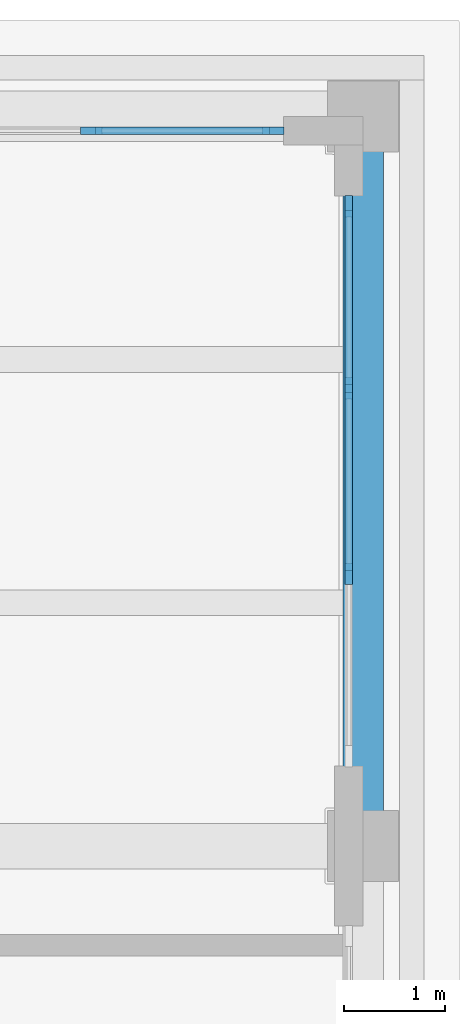
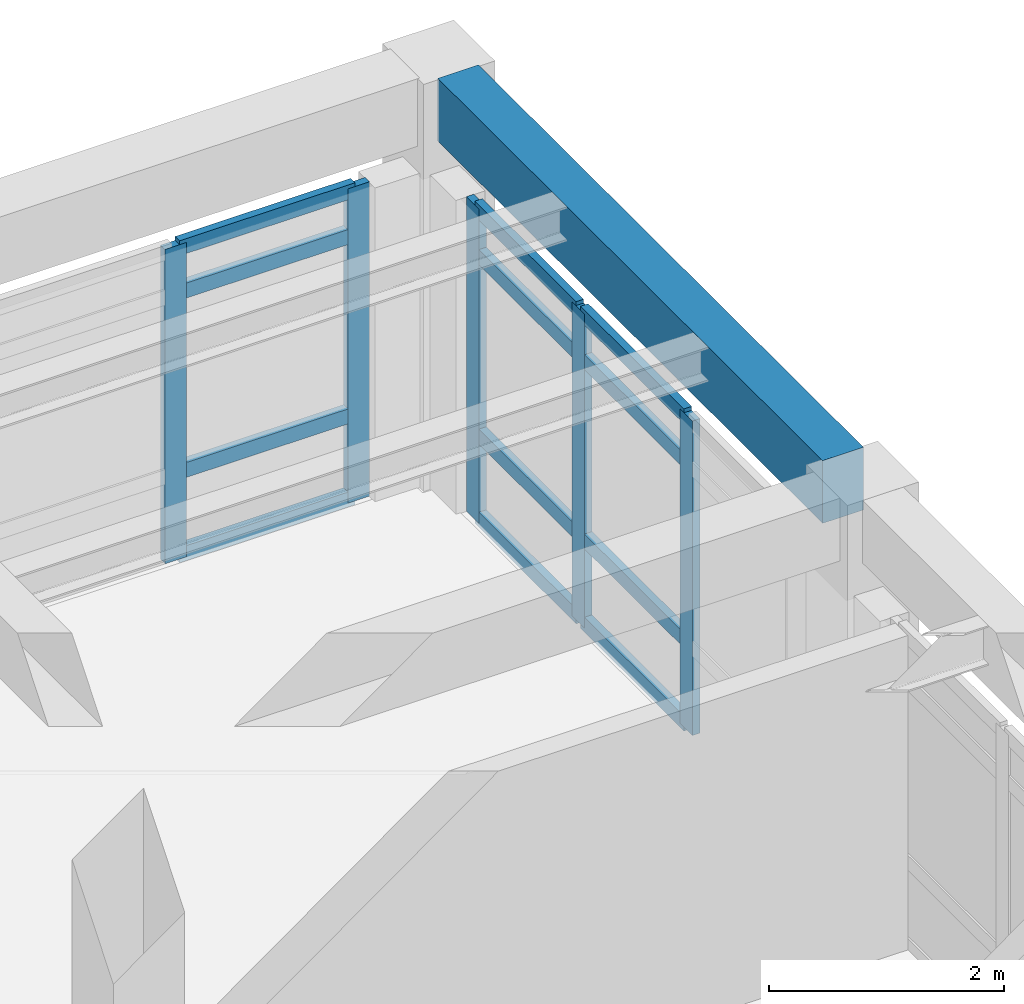
# One storey, part 31 of 64: 17 members, 1 beam, 2 elements without a shape of their own.
"""IFC4 building model written with IfcOpenShell, lengths in metres."""

from ifc_helpers import new_model, si_unit, direction, frame, origin, origin_2d, place, context, subcontext, project, spatial, rectangle, extrude, material, layer, layer_set, material_profile, profile_set, type_object, element, aggregate, save


model = new_model("IFC4")

# Units and contexts
model_context = context("Model", 3, precision=1e-05, world=origin(), true_north=direction((0.0, 1.0)))
body_context = subcontext(model_context, "Body", "Model", "MODEL_VIEW")
ifc_project = project(units=[si_unit("LENGTHUNIT", "METRE"), si_unit("AREAUNIT", "SQUARE_METRE"), si_unit("VOLUMEUNIT", "CUBIC_METRE"), si_unit("PLANEANGLEUNIT", "RADIAN"), si_unit("MASSUNIT", "GRAM", prefix="KILO")], contexts=[model_context])

# Site, building, storey
site_placement = place(None, origin())
site = spatial("IfcSite", under=ifc_project, at=site_placement, CompositionType="ELEMENT")
building_placement = place(site_placement, origin())
building = spatial("IfcBuilding", under=site, at=building_placement, Name="Solenvale Faculty of Natural Sciences", CompositionType="ELEMENT")
storey_placement = place(building_placement, frame((0.0, 0.0, 18.0)))
storey = spatial("IfcBuildingStorey", under=building, at=storey_placement, Name="L04", CompositionType="ELEMENT", Elevation=18.0)

# Beam
ifc_material_1 = material(Name="Concrete 40 MPa", Category="concrete")
ifc_material_profile_1 = material_profile(ifc_material_1, rectangle(XDim=0.39990234375, YDim=0.64990234375, at=origin_2d()), Name="RC-BM-400x650")
ifc_profile_set_1 = profile_set([ifc_material_profile_1], Name="Concrete 40 MPa")
beam_type = type_object("IfcBeamType", Name="BM-RC-400x650", PredefinedType="BEAM", material=ifc_profile_set_1)
beam_placement = place(storey_placement, frame((151.199951171875, 108.330078125, 3.89501953125), z_axis=(0.0, 1.0, 0.0), x_axis=(-1.0, 0.0, 0.0)))
element("IfcBeam", 1, at=beam_placement, inside=storey, type_object=beam_type, Name="L04 Y-Girder X151.2 (108.0..115.2)", PredefinedType="BEAM", context=body_context, shape_type="SweptSolid", body=[
    extrude(rectangle(XDim=0.39990234375, YDim=0.64990234375, at=origin_2d()), origin(), (0.0, 0.0, 1.0), 6.5400390625),
])

# Curtain wall, members
ifc_material_2 = material(Name="Anodised bronze aluminium", Category="aluminium")
ifc_layer = layer(ifc_material_2, 0.179931640625)
ifc_layer_set = layer_set([ifc_layer], Name="Anodised bronze aluminium")
curtain_wall_type = type_object("IfcCurtainWallType", Name="CW-TWR-MOD", PredefinedType="USERDEFINED", material=ifc_layer_set)
curtain_wall_1_placement = place(storey_placement, origin())
curtain_wall_1 = element("IfcCurtainWall", 2, at=curtain_wall_1_placement, inside=storey, type_object=curtain_wall_type, Name="L04 Curtain Wall CW-L04-P3-E3-B3", ObjectType="UNITISED CURTAIN WALL", PredefinedType="USERDEFINED")
ifc_material_profile_2 = material_profile(ifc_material_2, rectangle(XDim=0.074951171875, YDim=0.2099609375, at=origin_2d()), Name="ALU-MUL-75x210")
ifc_profile_set_2 = profile_set([ifc_material_profile_2], Name="Anodised bronze aluminium")
member_type_1 = type_object("IfcMemberType", Name="CWM-ALU-75x210", PredefinedType="MULLION", material=ifc_profile_set_2)
member_1_placement = place(storey_placement, frame((151.0576171875, 110.683349609375, 0.0), z_axis=(0.0, 0.0, 1.0), x_axis=(-1.0, 0.0, 0.0)))
member_1 = element("IfcMember", 3, at=member_1_placement, type_object=member_type_1, Name="CW-04 mullion 2", PredefinedType="MULLION", context=body_context, shape_type="SweptSolid", body=[
    extrude(rectangle(XDim=0.074951171875, YDim=0.2099609375, at=origin_2d()), origin(), (0.0, 0.0, 1.0), 3.260009765625),
])
member_2_placement = place(storey_placement, frame((151.0576171875, 112.5166015625, 0.0), z_axis=(0.0, 0.0, 1.0), x_axis=(-1.0, 0.0, 0.0)))
member_2 = element("IfcMember", 4, at=member_2_placement, type_object=member_type_1, Name="CW-04 mullion 3", PredefinedType="MULLION", context=body_context, shape_type="SweptSolid", body=[
    extrude(rectangle(XDim=0.074951171875, YDim=0.2099609375, at=origin_2d()), origin(), (0.0, 0.0, 1.0), 3.260009765625),
])
member_3_placement = place(storey_placement, frame((151.0576171875, 114.3125, 0.0), z_axis=(0.0, 0.0, 1.0), x_axis=(-1.0, 0.0, 0.0)))
member_3 = element("IfcMember", 5, at=member_3_placement, type_object=member_type_1, Name="CW-04 mullion 4", PredefinedType="MULLION", context=body_context, shape_type="SweptSolid", body=[
    extrude(rectangle(XDim=0.074951171875, YDim=0.2099609375, at=origin_2d()), origin(), (0.0, 0.0, 1.0), 3.260009765625),
])

curtain_wall_2_placement = place(storey_placement, origin())
curtain_wall_2 = element("IfcCurtainWall", 6, at=curtain_wall_2_placement, inside=storey, type_object=curtain_wall_type, Name="L04 Curtain Wall CW-L04-P3-E4-B1", ObjectType="UNITISED CURTAIN WALL", PredefinedType="USERDEFINED")
member_4_placement = place(storey_placement, frame((150.3125, 115.0576171875, 0.0), z_axis=(0.0, 0.0, 1.0), x_axis=(0.0, -1.0, 0.0)))
member_4 = element("IfcMember", 7, at=member_4_placement, type_object=member_type_1, Name="CW-04 mullion 1", PredefinedType="MULLION", context=body_context, shape_type="SweptSolid", body=[
    extrude(rectangle(XDim=0.074951171875, YDim=0.2099609375, at=origin_2d()), origin(), (0.0, 0.0, 1.0), 3.260009765625),
])
member_5_placement = place(storey_placement, frame((148.5166015625, 115.0576171875, 0.0), z_axis=(0.0, 0.0, 1.0), x_axis=(0.0, -1.0, 0.0)))
member_5 = element("IfcMember", 8, at=member_5_placement, type_object=member_type_1, Name="CW-04 mullion 2", PredefinedType="MULLION", context=body_context, shape_type="SweptSolid", body=[
    extrude(rectangle(XDim=0.074951171875, YDim=0.2099609375, at=origin_2d()), origin(), (0.0, 0.0, 1.0), 3.260009765625),
])

# Member
ifc_material_profile_3 = material_profile(ifc_material_2, rectangle(XDim=0.074951171875, YDim=0.155029296875, at=origin_2d()), Name="ALU-TRN-75x155")
ifc_profile_set_3 = profile_set([ifc_material_profile_3], Name="Anodised bronze aluminium")
member_type_2 = type_object("IfcMemberType", Name="CWT-ALU-75x155", PredefinedType="USERDEFINED", material=ifc_profile_set_3)
member_6_placement = place(storey_placement, frame((151.0576171875, 110.720947265625, 0.03759765625), z_axis=(0.0, 1.0, 0.0), x_axis=(-1.0, 0.0, 0.0)))
member_6 = element("IfcMember", 9, at=member_6_placement, type_object=member_type_2, Name="CW-04 transom 2.1", ObjectType="TRANSOM", PredefinedType="USERDEFINED", context=body_context, shape_type="SweptSolid", body=[
    extrude(rectangle(XDim=0.074951171875, YDim=0.155029296875, at=origin_2d()), origin(), (0.0, 0.0, 1.0), 1.75830078125),
])

member_7_placement = place(storey_placement, frame((151.0576171875, 110.720947265625, 0.89990234375), z_axis=(0.0, 1.0, 0.0), x_axis=(-1.0, 0.0, 0.0)))
member_7 = element("IfcMember", 10, at=member_7_placement, type_object=member_type_2, Name="CW-04 transom 2.2", ObjectType="TRANSOM", PredefinedType="USERDEFINED", context=body_context, shape_type="SweptSolid", body=[
    extrude(rectangle(XDim=0.074951171875, YDim=0.155029296875, at=origin_2d()), origin(), (0.0, 0.0, 1.0), 1.75830078125),
])

member_8_placement = place(storey_placement, frame((151.0576171875, 110.720947265625, 2.760009765625), z_axis=(0.0, 1.0, 0.0), x_axis=(-1.0, 0.0, 0.0)))
member_8 = element("IfcMember", 11, at=member_8_placement, type_object=member_type_2, Name="CW-04 transom 2.3", ObjectType="TRANSOM", PredefinedType="USERDEFINED", context=body_context, shape_type="SweptSolid", body=[
    extrude(rectangle(XDim=0.074951171875, YDim=0.155029296875, at=origin_2d()), origin(), (0.0, 0.0, 1.0), 1.75830078125),
])

member_9_placement = place(storey_placement, frame((151.0576171875, 110.720947265625, 3.222412109375), z_axis=(0.0, 1.0, 0.0), x_axis=(-1.0, 0.0, 0.0)))
member_9 = element("IfcMember", 12, at=member_9_placement, type_object=member_type_2, Name="CW-04 transom 2.4", ObjectType="TRANSOM", PredefinedType="USERDEFINED", context=body_context, shape_type="SweptSolid", body=[
    extrude(rectangle(XDim=0.074951171875, YDim=0.155029296875, at=origin_2d()), origin(), (0.0, 0.0, 1.0), 1.75830078125),
])

member_10_placement = place(storey_placement, frame((151.0576171875, 112.55419921875, 0.03759765625), z_axis=(0.0, 1.0, 0.0), x_axis=(-1.0, 0.0, 0.0)))
member_10 = element("IfcMember", 13, at=member_10_placement, type_object=member_type_2, Name="CW-04 transom 3.1", ObjectType="TRANSOM", PredefinedType="USERDEFINED", context=body_context, shape_type="SweptSolid", body=[
    extrude(rectangle(XDim=0.074951171875, YDim=0.155029296875, at=origin_2d()), origin(), (0.0, 0.0, 1.0), 1.720703125),
])

member_11_placement = place(storey_placement, frame((151.0576171875, 112.55419921875, 0.89990234375), z_axis=(0.0, 1.0, 0.0), x_axis=(-1.0, 0.0, 0.0)))
member_11 = element("IfcMember", 14, at=member_11_placement, type_object=member_type_2, Name="CW-04 transom 3.2", ObjectType="TRANSOM", PredefinedType="USERDEFINED", context=body_context, shape_type="SweptSolid", body=[
    extrude(rectangle(XDim=0.074951171875, YDim=0.155029296875, at=origin_2d()), origin(), (0.0, 0.0, 1.0), 1.720703125),
])

member_12_placement = place(storey_placement, frame((151.0576171875, 112.55419921875, 2.760009765625), z_axis=(0.0, 1.0, 0.0), x_axis=(-1.0, 0.0, 0.0)))
member_12 = element("IfcMember", 15, at=member_12_placement, type_object=member_type_2, Name="CW-04 transom 3.3", ObjectType="TRANSOM", PredefinedType="USERDEFINED", context=body_context, shape_type="SweptSolid", body=[
    extrude(rectangle(XDim=0.074951171875, YDim=0.155029296875, at=origin_2d()), origin(), (0.0, 0.0, 1.0), 1.720703125),
])

member_13_placement = place(storey_placement, frame((151.0576171875, 112.55419921875, 3.222412109375), z_axis=(0.0, 1.0, 0.0), x_axis=(-1.0, 0.0, 0.0)))
member_13 = element("IfcMember", 16, at=member_13_placement, type_object=member_type_2, Name="CW-04 transom 3.4", ObjectType="TRANSOM", PredefinedType="USERDEFINED", context=body_context, shape_type="SweptSolid", body=[
    extrude(rectangle(XDim=0.074951171875, YDim=0.155029296875, at=origin_2d()), origin(), (0.0, 0.0, 1.0), 1.720703125),
])

aggregate(curtain_wall_1, [member_1, member_2, member_3, member_6, member_7, member_8, member_9, member_10, member_11, member_12, member_13])

member_14_placement = place(storey_placement, frame((150.27490234375, 115.0576171875, 0.03759765625), z_axis=(-1.0, 0.0, 0.0), x_axis=(0.0, -1.0, 0.0)))
member_14 = element("IfcMember", 17, at=member_14_placement, type_object=member_type_2, Name="CW-04 transom 1.1", ObjectType="TRANSOM", PredefinedType="USERDEFINED", context=body_context, shape_type="SweptSolid", body=[
    extrude(rectangle(XDim=0.074951171875, YDim=0.155029296875, at=origin_2d()), origin(), (0.0, 0.0, 1.0), 1.720703125),
])

member_15_placement = place(storey_placement, frame((150.27490234375, 115.0576171875, 0.89990234375), z_axis=(-1.0, 0.0, 0.0), x_axis=(0.0, -1.0, 0.0)))
member_15 = element("IfcMember", 18, at=member_15_placement, type_object=member_type_2, Name="CW-04 transom 1.2", ObjectType="TRANSOM", PredefinedType="USERDEFINED", context=body_context, shape_type="SweptSolid", body=[
    extrude(rectangle(XDim=0.074951171875, YDim=0.155029296875, at=origin_2d()), origin(), (0.0, 0.0, 1.0), 1.720703125),
])

member_16_placement = place(storey_placement, frame((150.27490234375, 115.0576171875, 2.760009765625), z_axis=(-1.0, 0.0, 0.0), x_axis=(0.0, -1.0, 0.0)))
member_16 = element("IfcMember", 19, at=member_16_placement, type_object=member_type_2, Name="CW-04 transom 1.3", ObjectType="TRANSOM", PredefinedType="USERDEFINED", context=body_context, shape_type="SweptSolid", body=[
    extrude(rectangle(XDim=0.074951171875, YDim=0.155029296875, at=origin_2d()), origin(), (0.0, 0.0, 1.0), 1.720703125),
])

member_17_placement = place(storey_placement, frame((150.27490234375, 115.0576171875, 3.222412109375), z_axis=(-1.0, 0.0, 0.0), x_axis=(0.0, -1.0, 0.0)))
member_17 = element("IfcMember", 20, at=member_17_placement, type_object=member_type_2, Name="CW-04 transom 1.4", ObjectType="TRANSOM", PredefinedType="USERDEFINED", context=body_context, shape_type="SweptSolid", body=[
    extrude(rectangle(XDim=0.074951171875, YDim=0.155029296875, at=origin_2d()), origin(), (0.0, 0.0, 1.0), 1.720703125),
])

aggregate(curtain_wall_2, [member_4, member_5, member_14, member_15, member_16, member_17])

save(model, "model.ifc")
